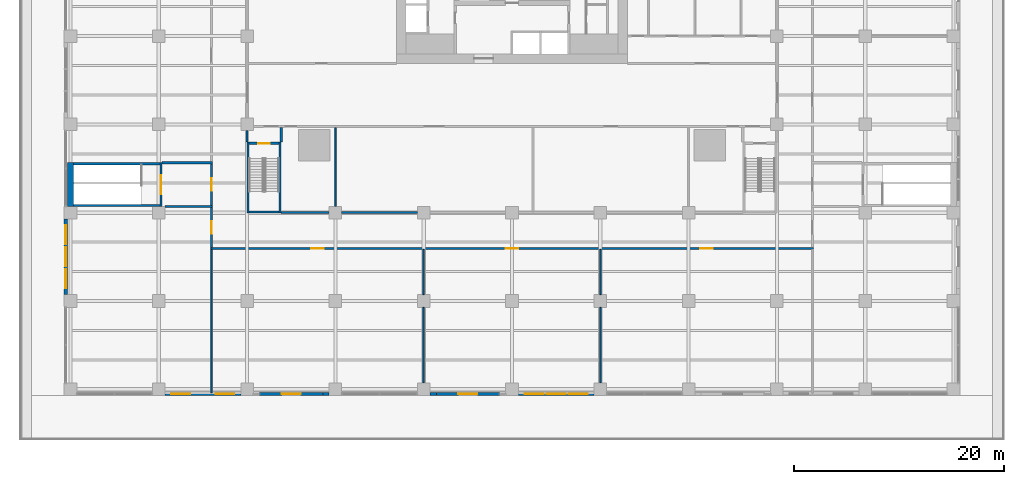
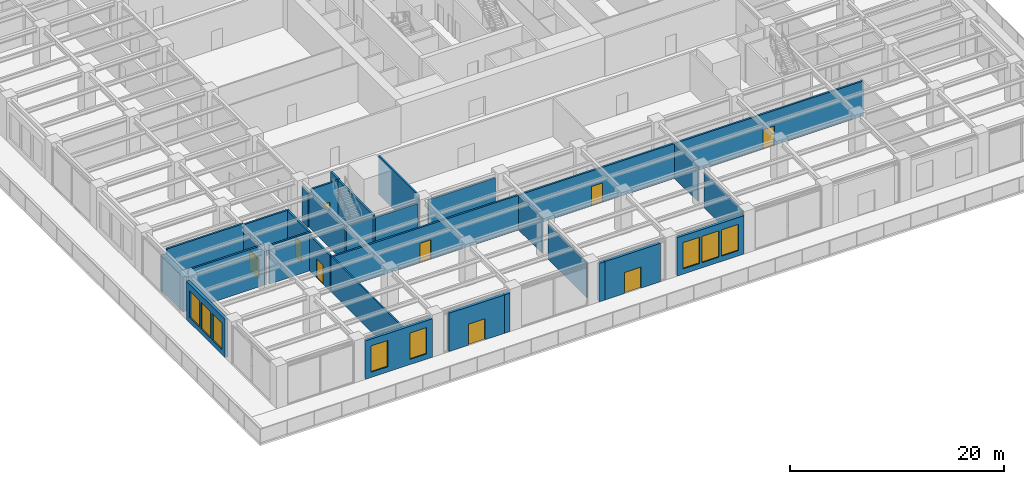
# One storey, part 35 of 53: 30 walls, 9 doors, 8 windows, 17 openings.
"""IFC4 building model written with IfcOpenShell, lengths in metres."""

from ifc_helpers import new_model, si_unit, direction, frame, frame_2d, origin, place, context, subcontext, project, spatial, rectangle, extrude, material, layer, layer_set, type_object, element, fill, save


model = new_model("IFC4")

# Units and contexts
model_context = context("Model", 3, precision=1e-05, world=origin(), true_north=direction((0.0, 1.0)))
body_context = subcontext(model_context, "Body", "Model", "MODEL_VIEW")
ifc_project = project(units=[si_unit("LENGTHUNIT", "METRE"), si_unit("AREAUNIT", "SQUARE_METRE"), si_unit("VOLUMEUNIT", "CUBIC_METRE"), si_unit("PLANEANGLEUNIT", "RADIAN"), si_unit("MASSUNIT", "GRAM", prefix="KILO")], contexts=[model_context])

# Site, building, storey
site_placement = place(None, origin())
site = spatial("IfcSite", under=ifc_project, at=site_placement, CompositionType="ELEMENT")
building_placement = place(site_placement, origin())
building = spatial("IfcBuilding", under=site, at=building_placement, Name="Khepri Terraces", CompositionType="ELEMENT")
storey_placement = place(building_placement, frame((0.0, 0.0, 7.199951171875)))
storey = spatial("IfcBuildingStorey", under=building, at=storey_placement, Name="L01", CompositionType="ELEMENT", Elevation=7.199951171875)

# Wall, openings, windows
ifc_material_1 = material(Name="Precast concrete C50/60 warm stone", Category="masonry")
ifc_layer_1 = layer(ifc_material_1, 0.300048828125, Name="Precast concrete C50/60 warm stone", Category="masonry")
ifc_layer_set_1 = layer_set([ifc_layer_1], Name="Precast concrete C50/60 warm stone")
wall_type_1 = type_object("IfcWallType", Name="WL-EXT-PRECAST-300", PredefinedType="STANDARD", material=ifc_layer_set_1)
wall_1_placement = place(storey_placement, frame((-33.0, -42.449951171875, 0.0), z_axis=(0.0, 0.0, 1.0), x_axis=(1.0, 0.0, 0.0)))
wall_1 = element("IfcWall", 1, at=wall_1_placement, inside=storey, type_object=wall_type_1, Name="External wall L01 S", PredefinedType="STANDARD", context=body_context, shape_type="SweptSolid", body=[
    extrude(rectangle(XDim=7.199951171875, YDim=0.300048828125, at=frame_2d((3.60009765625, 0.0))), origin(), (0.0, 0.0, 1.0), 4.380126953125),
])
opening_1_placement = place(wall_1_placement, frame((0.60009765625, 0.0, 0.60009765625)))
opening_1 = element("IfcOpeningElement", 2, at=opening_1_placement, cuts=wall_1, Name="Opening WP1", PredefinedType="OPENING", context=body_context, shape_type="SweptSolid", body=[
    extrude(rectangle(XDim=1.800048828125, YDim=3.0, at=frame_2d((0.89990234375, 1.5))), frame((0.0, 0.16015625, 0.0), z_axis=(0.0, -1.0, 0.0), x_axis=(1.0, 0.0, 0.0)), (0.0, 0.0, 1.0), 0.320068359375),
])
opening_2_placement = place(wall_1_placement, frame((4.800048828125, 0.0, 0.60009765625)))
opening_2 = element("IfcOpeningElement", 3, at=opening_2_placement, cuts=wall_1, Name="Opening WP1", PredefinedType="OPENING", context=body_context, shape_type="SweptSolid", body=[
    extrude(rectangle(XDim=1.800048828125, YDim=3.0, at=frame_2d((0.89990234375, 1.5))), frame((0.0, 0.16015625, 0.0), z_axis=(0.0, -1.0, 0.0), x_axis=(1.0, 0.0, 0.0)), (0.0, 0.0, 1.0), 0.320068359375),
])
ifc_material_2 = material(Name="Clear glass", Category="glass")
window_type = type_object("IfcWindowType", Name="WIN-POD-1800x3000", PartitioningType="SINGLE_PANEL", PredefinedType="WINDOW", material=ifc_material_2)
window_1_placement = place(opening_1_placement, origin())
window_1 = element("IfcWindow", 4, at=window_1_placement, inside=storey, type_object=window_type, Name="Window L01 S", OverallHeight=3.0, OverallWidth=1.800048828125, PartitioningType="SINGLE_PANEL", PredefinedType="WINDOW", context=body_context, shape_type="SweptSolid", body=[
    extrude(rectangle(XDim=1.800048828125, YDim=3.0, at=frame_2d((0.89990234375, 1.5))), frame((0.0, 0.030029296875, 0.0), z_axis=(0.0, -1.0, 0.0), x_axis=(1.0, 0.0, 0.0)), (0.0, 0.0, 1.0), 0.06005859375),
])
fill(opening_1, window_1)
window_2_placement = place(opening_2_placement, origin())
window_2 = element("IfcWindow", 5, at=window_2_placement, inside=storey, type_object=window_type, Name="Window L01 S", OverallHeight=3.0, OverallWidth=1.800048828125, PartitioningType="SINGLE_PANEL", PredefinedType="WINDOW", context=body_context, shape_type="SweptSolid", body=[
    extrude(rectangle(XDim=1.800048828125, YDim=3.0, at=frame_2d((0.89990234375, 1.5))), frame((0.0, 0.030029296875, 0.0), z_axis=(0.0, -1.0, 0.0), x_axis=(1.0, 0.0, 0.0)), (0.0, 0.0, 1.0), 0.06005859375),
])
fill(opening_2, window_2)

# Wall, opening, door
wall_2_placement = place(storey_placement, frame((-24.0, -42.449951171875, 0.0), z_axis=(0.0, 0.0, 1.0), x_axis=(1.0, 0.0, 0.0)))
wall_2 = element("IfcWall", 6, at=wall_2_placement, inside=storey, type_object=wall_type_1, Name="External wall L01 S", PredefinedType="STANDARD", context=body_context, shape_type="SweptSolid", body=[
    extrude(rectangle(XDim=6.0, YDim=0.300048828125, at=frame_2d((3.0, 0.0))), origin(), (0.0, 0.0, 1.0), 4.380126953125),
])
opening_3_placement = place(wall_2_placement, frame((2.10009765625, 0.0, 0.0)))
opening_3 = element("IfcOpeningElement", 7, at=opening_3_placement, cuts=wall_2, Name="Opening ED-L01-01", PredefinedType="OPENING", context=body_context, shape_type="SweptSolid", body=[
    extrude(rectangle(XDim=1.800048828125, YDim=2.39990234375, at=frame_2d((0.89990234375, 1.199951171875))), frame((0.0, 0.16015625, 0.0), z_axis=(0.0, -1.0, 0.0), x_axis=(1.0, 0.0, 0.0)), (0.0, 0.0, 1.0), 0.320068359375),
])
ifc_material_3 = material(Name="Anodised aluminium bronze glazed door", Category="aluminium")
door_type_1 = type_object("IfcDoorType", Name="DR-BAL-SLIDE-1800x2400", OperationType="NOTDEFINED", PredefinedType="DOOR", material=ifc_material_3)
door_1_placement = place(opening_3_placement, origin())
door_1 = element("IfcDoor", 8, at=door_1_placement, inside=storey, type_object=door_type_1, Name="Balcony door L01 S", OperationType="SLIDING_TO_LEFT", OverallHeight=2.39990234375, OverallWidth=1.800048828125, PredefinedType="DOOR", context=body_context, shape_type="SweptSolid", body=[
    extrude(rectangle(XDim=1.800048828125, YDim=2.39990234375, at=frame_2d((0.89990234375, 1.199951171875))), frame((0.0, 0.02490234375, 0.0), z_axis=(0.0, -1.0, 0.0), x_axis=(1.0, 0.0, 0.0)), (0.0, 0.0, 1.0), 0.050048828125),
])
fill(opening_3, door_1)

# Walls
for number, where, z_axis, x_axis, name in (
    (9, (-18.0, -42.449951171875, 0.0), (0.0, 0.0, 1.0), (1.0, 0.0, 0.0), "External wall L01 S"),
    (10, (-7.800048828125, -42.449951171875, 0.0), (0.0, 0.0, 1.0), (1.0, 0.0, 0.0), "External wall L01 S"),
):
    element("IfcWall", number, at=place(storey_placement, frame(where, z_axis=z_axis, x_axis=x_axis)), inside=storey, type_object=wall_type_1, Name=name, PredefinedType="STANDARD", context=body_context, shape_type="SweptSolid", body=[
        extrude(rectangle(XDim=0.60009765625, YDim=0.300048828125, at=frame_2d((0.300048828125, 0.0))), origin(), (0.0, 0.0, 1.0), 4.380126953125),
    ])

# Wall, opening, door
wall_3_placement = place(storey_placement, frame((-7.199951171875, -42.449951171875, 0.0), z_axis=(0.0, 0.0, 1.0), x_axis=(1.0, 0.0, 0.0)))
wall_3 = element("IfcWall", 11, at=wall_3_placement, inside=storey, type_object=wall_type_1, Name="External wall L01 S", PredefinedType="STANDARD", context=body_context, shape_type="SweptSolid", body=[
    extrude(rectangle(XDim=6.0, YDim=0.300048828125, at=frame_2d((3.0, 0.0))), origin(), (0.0, 0.0, 1.0), 4.380126953125),
])
opening_4_placement = place(wall_3_placement, frame((2.10009765625, 0.0, 0.0)))
opening_4 = element("IfcOpeningElement", 12, at=opening_4_placement, cuts=wall_3, Name="Opening ED-L01-02", PredefinedType="OPENING", context=body_context, shape_type="SweptSolid", body=[
    extrude(rectangle(XDim=1.800048828125, YDim=2.39990234375, at=frame_2d((0.89990234375, 1.199951171875))), frame((0.0, 0.16015625, 0.0), z_axis=(0.0, -1.0, 0.0), x_axis=(1.0, 0.0, 0.0)), (0.0, 0.0, 1.0), 0.320068359375),
])
door_2_placement = place(opening_4_placement, origin())
door_2 = element("IfcDoor", 13, at=door_2_placement, inside=storey, type_object=door_type_1, Name="Balcony door L01 S", OperationType="SLIDING_TO_LEFT", OverallHeight=2.39990234375, OverallWidth=1.800048828125, PredefinedType="DOOR", context=body_context, shape_type="SweptSolid", body=[
    extrude(rectangle(XDim=1.800048828125, YDim=2.39990234375, at=frame_2d((0.89990234375, 1.199951171875))), frame((0.0, 0.02490234375, 0.0), z_axis=(0.0, -1.0, 0.0), x_axis=(1.0, 0.0, 0.0)), (0.0, 0.0, 1.0), 0.050048828125),
])
fill(opening_4, door_2)

# Wall, openings, windows
wall_4_placement = place(storey_placement, frame((0.60009765625, -42.449951171875, 0.0), z_axis=(0.0, 0.0, 1.0), x_axis=(1.0, 0.0, 0.0)))
wall_4 = element("IfcWall", 14, at=wall_4_placement, inside=storey, type_object=wall_type_1, Name="External wall L01 S", PredefinedType="STANDARD", context=body_context, shape_type="SweptSolid", body=[
    extrude(rectangle(XDim=7.199951171875, YDim=0.300048828125, at=frame_2d((3.60009765625, 0.0))), origin(), (0.0, 0.0, 1.0), 4.380126953125),
])
opening_5_placement = place(wall_4_placement, frame((0.60009765625, 0.0, 0.60009765625)))
opening_5 = element("IfcOpeningElement", 15, at=opening_5_placement, cuts=wall_4, Name="Opening WP1", PredefinedType="OPENING", context=body_context, shape_type="SweptSolid", body=[
    extrude(rectangle(XDim=1.800048828125, YDim=3.0, at=frame_2d((0.89990234375, 1.5))), frame((0.0, 0.16015625, 0.0), z_axis=(0.0, -1.0, 0.0), x_axis=(1.0, 0.0, 0.0)), (0.0, 0.0, 1.0), 0.320068359375),
])
opening_6_placement = place(wall_4_placement, frame((2.699951171875, 0.0, 0.60009765625)))
opening_6 = element("IfcOpeningElement", 16, at=opening_6_placement, cuts=wall_4, Name="Opening WP1", PredefinedType="OPENING", context=body_context, shape_type="SweptSolid", body=[
    extrude(rectangle(XDim=1.800048828125, YDim=3.0, at=frame_2d((0.89990234375, 1.5))), frame((0.0, 0.16015625, 0.0), z_axis=(0.0, -1.0, 0.0), x_axis=(1.0, 0.0, 0.0)), (0.0, 0.0, 1.0), 0.320068359375),
])
opening_7_placement = place(wall_4_placement, frame((4.800048828125, 0.0, 0.60009765625)))
opening_7 = element("IfcOpeningElement", 17, at=opening_7_placement, cuts=wall_4, Name="Opening WP1", PredefinedType="OPENING", context=body_context, shape_type="SweptSolid", body=[
    extrude(rectangle(XDim=1.800048828125, YDim=3.0, at=frame_2d((0.89990234375, 1.5))), frame((0.0, 0.16015625, 0.0), z_axis=(0.0, -1.0, 0.0), x_axis=(1.0, 0.0, 0.0)), (0.0, 0.0, 1.0), 0.320068359375),
])
window_3_placement = place(opening_5_placement, origin())
window_3 = element("IfcWindow", 18, at=window_3_placement, inside=storey, type_object=window_type, Name="Window L01 S", OverallHeight=3.0, OverallWidth=1.800048828125, PartitioningType="SINGLE_PANEL", PredefinedType="WINDOW", context=body_context, shape_type="SweptSolid", body=[
    extrude(rectangle(XDim=1.800048828125, YDim=3.0, at=frame_2d((0.89990234375, 1.5))), frame((0.0, 0.030029296875, 0.0), z_axis=(0.0, -1.0, 0.0), x_axis=(1.0, 0.0, 0.0)), (0.0, 0.0, 1.0), 0.06005859375),
])
fill(opening_5, window_3)
window_4_placement = place(opening_6_placement, origin())
window_4 = element("IfcWindow", 19, at=window_4_placement, inside=storey, type_object=window_type, Name="Window L01 S", OverallHeight=3.0, OverallWidth=1.800048828125, PartitioningType="SINGLE_PANEL", PredefinedType="WINDOW", context=body_context, shape_type="SweptSolid", body=[
    extrude(rectangle(XDim=1.800048828125, YDim=3.0, at=frame_2d((0.89990234375, 1.5))), frame((0.0, 0.030029296875, 0.0), z_axis=(0.0, -1.0, 0.0), x_axis=(1.0, 0.0, 0.0)), (0.0, 0.0, 1.0), 0.06005859375),
])
fill(opening_6, window_4)
window_5_placement = place(opening_7_placement, origin())
window_5 = element("IfcWindow", 20, at=window_5_placement, inside=storey, type_object=window_type, Name="Window L01 S", OverallHeight=3.0, OverallWidth=1.800048828125, PartitioningType="SINGLE_PANEL", PredefinedType="WINDOW", context=body_context, shape_type="SweptSolid", body=[
    extrude(rectangle(XDim=1.800048828125, YDim=3.0, at=frame_2d((0.89990234375, 1.5))), frame((0.0, 0.030029296875, 0.0), z_axis=(0.0, -1.0, 0.0), x_axis=(1.0, 0.0, 0.0)), (0.0, 0.0, 1.0), 0.06005859375),
])
fill(opening_7, window_5)

wall_5_placement = place(storey_placement, frame((-42.449951171875, -25.800048828125, 0.0), z_axis=(0.0, 0.0, 1.0), x_axis=(0.0, -1.0, 0.0)))
wall_5 = element("IfcWall", 21, at=wall_5_placement, inside=storey, type_object=wall_type_1, Name="External wall L01 W", PredefinedType="STANDARD", context=body_context, shape_type="SweptSolid", body=[
    extrude(rectangle(XDim=7.199951171875, YDim=0.300048828125, at=frame_2d((3.60009765625, 0.0))), origin(), (0.0, 0.0, 1.0), 4.380126953125),
])
opening_8_placement = place(wall_5_placement, frame((0.60009765625, 0.0, 0.60009765625)))
opening_8 = element("IfcOpeningElement", 22, at=opening_8_placement, cuts=wall_5, Name="Opening WP1", PredefinedType="OPENING", context=body_context, shape_type="SweptSolid", body=[
    extrude(rectangle(XDim=1.800048828125, YDim=3.0, at=frame_2d((0.89990234375, 1.5))), frame((0.0, 0.16015625, 0.0), z_axis=(0.0, -1.0, 0.0), x_axis=(1.0, 0.0, 0.0)), (0.0, 0.0, 1.0), 0.320068359375),
])
opening_9_placement = place(wall_5_placement, frame((2.699951171875, 0.0, 0.60009765625)))
opening_9 = element("IfcOpeningElement", 23, at=opening_9_placement, cuts=wall_5, Name="Opening WP1", PredefinedType="OPENING", context=body_context, shape_type="SweptSolid", body=[
    extrude(rectangle(XDim=1.800048828125, YDim=3.0, at=frame_2d((0.89990234375, 1.5))), frame((0.0, 0.16015625, 0.0), z_axis=(0.0, -1.0, 0.0), x_axis=(1.0, 0.0, 0.0)), (0.0, 0.0, 1.0), 0.320068359375),
])
opening_10_placement = place(wall_5_placement, frame((4.800048828125, 0.0, 0.60009765625)))
opening_10 = element("IfcOpeningElement", 24, at=opening_10_placement, cuts=wall_5, Name="Opening WP1", PredefinedType="OPENING", context=body_context, shape_type="SweptSolid", body=[
    extrude(rectangle(XDim=1.800048828125, YDim=3.0, at=frame_2d((0.89990234375, 1.5))), frame((0.0, 0.16015625, 0.0), z_axis=(0.0, -1.0, 0.0), x_axis=(1.0, 0.0, 0.0)), (0.0, 0.0, 1.0), 0.320068359375),
])
window_6_placement = place(opening_8_placement, origin())
window_6 = element("IfcWindow", 25, at=window_6_placement, inside=storey, type_object=window_type, Name="Window L01 W", OverallHeight=3.0, OverallWidth=1.800048828125, PartitioningType="SINGLE_PANEL", PredefinedType="WINDOW", context=body_context, shape_type="SweptSolid", body=[
    extrude(rectangle(XDim=1.800048828125, YDim=3.0, at=frame_2d((0.89990234375, 1.5))), frame((0.0, 0.030029296875, 0.0), z_axis=(0.0, -1.0, 0.0), x_axis=(1.0, 0.0, 0.0)), (0.0, 0.0, 1.0), 0.06005859375),
])
fill(opening_8, window_6)
window_7_placement = place(opening_9_placement, origin())
window_7 = element("IfcWindow", 26, at=window_7_placement, inside=storey, type_object=window_type, Name="Window L01 W", OverallHeight=3.0, OverallWidth=1.800048828125, PartitioningType="SINGLE_PANEL", PredefinedType="WINDOW", context=body_context, shape_type="SweptSolid", body=[
    extrude(rectangle(XDim=1.800048828125, YDim=3.0, at=frame_2d((0.89990234375, 1.5))), frame((0.0, 0.030029296875, 0.0), z_axis=(0.0, -1.0, 0.0), x_axis=(1.0, 0.0, 0.0)), (0.0, 0.0, 1.0), 0.06005859375),
])
fill(opening_9, window_7)
window_8_placement = place(opening_10_placement, origin())
window_8 = element("IfcWindow", 27, at=window_8_placement, inside=storey, type_object=window_type, Name="Window L01 W", OverallHeight=3.0, OverallWidth=1.800048828125, PartitioningType="SINGLE_PANEL", PredefinedType="WINDOW", context=body_context, shape_type="SweptSolid", body=[
    extrude(rectangle(XDim=1.800048828125, YDim=3.0, at=frame_2d((0.89990234375, 1.5))), frame((0.0, 0.030029296875, 0.0), z_axis=(0.0, -1.0, 0.0), x_axis=(1.0, 0.0, 0.0)), (0.0, 0.0, 1.0), 0.06005859375),
])
fill(opening_10, window_8)

# Walls
ifc_material_4 = material(Name="Gypsum board partition")
ifc_layer_2 = layer(ifc_material_4, 0.14990234375, Name="Gypsum board partition")
ifc_layer_set_2 = layer_set([ifc_layer_2], Name="Gypsum board partition")
wall_type_2 = type_object("IfcWallType", Name="WL-POD-150", PredefinedType="PARTITIONING", material=ifc_layer_set_2)
wall_6_placement = place(storey_placement, frame((-28.60009765625, -42.35009765625, 0.0), z_axis=(0.0, 0.0, 1.0), x_axis=(0.0, 1.0, 0.0)))
element("IfcWall", 28, at=wall_6_placement, inside=storey, type_object=wall_type_2, Name="Partition L01-PW039", PredefinedType="PARTITIONING", context=body_context, shape_type="SweptSolid", body=[
    extrude(rectangle(XDim=13.650146484375, YDim=0.14990234375, at=frame_2d((6.8251953125, 0.0))), origin(), (0.0, 0.0, 1.0), 4.080078125),
])
wall_7_placement = place(storey_placement, frame((-16.800048828125, -24.60009765625, 0.0), z_axis=(0.0, 0.0, 1.0), x_axis=(0.0, 1.0, 0.0)))
element("IfcWall", 29, at=wall_7_placement, inside=storey, type_object=wall_type_2, Name="Partition L01-PW054", PredefinedType="PARTITIONING", context=body_context, shape_type="SweptSolid", body=[
    extrude(rectangle(XDim=7.5, YDim=0.14990234375, at=frame_2d((3.75, 0.0))), origin(), (0.0, 0.0, 1.0), 4.380126953125),
])
wall_8_placement = place(storey_placement, frame((-8.39990234375, -41.39990234375, 0.0), z_axis=(0.0, 0.0, 1.0), x_axis=(0.0, 1.0, 0.0)))
element("IfcWall", 30, at=wall_8_placement, inside=storey, type_object=wall_type_2, Name="Partition L01-PW056", PredefinedType="PARTITIONING", context=body_context, shape_type="SweptSolid", body=[
    extrude(rectangle(XDim=7.199951171875, YDim=0.14990234375, at=frame_2d((3.60009765625, 0.0))), origin(), (0.0, 0.0, 1.0), 3.97998046875),
])
wall_9_placement = place(storey_placement, frame((-8.39990234375, -33.0, 0.0), z_axis=(0.0, 0.0, 1.0), x_axis=(0.0, 1.0, 0.0)))
element("IfcWall", 31, at=wall_9_placement, inside=storey, type_object=wall_type_2, Name="Partition L01-PW057", PredefinedType="PARTITIONING", context=body_context, shape_type="SweptSolid", body=[
    extrude(rectangle(XDim=4.300048828125, YDim=0.14990234375, at=frame_2d((2.14990234375, 0.0))), origin(), (0.0, 0.0, 1.0), 3.97998046875),
])
wall_10_placement = place(storey_placement, frame((8.39990234375, -41.39990234375, 0.0), z_axis=(0.0, 0.0, 1.0), x_axis=(0.0, 1.0, 0.0)))
element("IfcWall", 32, at=wall_10_placement, inside=storey, type_object=wall_type_2, Name="Partition L01-PW062", PredefinedType="PARTITIONING", context=body_context, shape_type="SweptSolid", body=[
    extrude(rectangle(XDim=7.199951171875, YDim=0.14990234375, at=frame_2d((3.60009765625, 0.0))), origin(), (0.0, 0.0, 1.0), 3.97998046875),
])
wall_11_placement = place(storey_placement, frame((8.39990234375, -33.0, 0.0), z_axis=(0.0, 0.0, 1.0), x_axis=(0.0, 1.0, 0.0)))
element("IfcWall", 33, at=wall_11_placement, inside=storey, type_object=wall_type_2, Name="Partition L01-PW063", PredefinedType="PARTITIONING", context=body_context, shape_type="SweptSolid", body=[
    extrude(rectangle(XDim=4.300048828125, YDim=0.14990234375, at=frame_2d((2.14990234375, 0.0))), origin(), (0.0, 0.0, 1.0), 3.97998046875),
])
ifc_material_5 = material(Name="Fire-rated block wall")
ifc_layer_3 = layer(ifc_material_5, 0.199951171875, Name="Fire-rated block wall")
ifc_layer_set_3 = layer_set([ifc_layer_3], Name="Fire-rated block wall")
wall_type_3 = type_object("IfcWallType", Name="WL-POD-200-EI120", PredefinedType="PARTITIONING", material=ifc_layer_set_3)
wall_12_placement = place(storey_placement, frame((-33.0, -24.60009765625, 0.0), z_axis=(0.0, 0.0, 1.0), x_axis=(1.0, 0.0, 0.0)))
element("IfcWall", 34, at=wall_12_placement, inside=storey, type_object=wall_type_3, Name="Partition L01-PW008", PredefinedType="PARTITIONING", context=body_context, shape_type="SweptSolid", body=[
    extrude(rectangle(XDim=4.5, YDim=0.199951171875, at=frame_2d((2.25, 0.0))), origin(), (0.0, 0.0, 1.0), 4.380126953125),
])
wall_13_placement = place(storey_placement, frame((-33.300048828125, -20.449951171875, 0.0), z_axis=(0.0, 0.0, 1.0), x_axis=(1.0, 0.0, 0.0)))
element("IfcWall", 35, at=wall_13_placement, inside=storey, type_object=wall_type_3, Name="Partition L01-PW010", PredefinedType="PARTITIONING", context=body_context, shape_type="SweptSolid", body=[
    extrude(rectangle(XDim=4.800048828125, YDim=0.199951171875, at=frame_2d((2.39990234375, 0.0))), origin(), (0.0, 0.0, 1.0), 4.380126953125),
])

# Wall, opening, door
wall_14_placement = place(storey_placement, frame((-28.60009765625, -24.5, 0.0), z_axis=(0.0, 0.0, 1.0), x_axis=(0.0, 1.0, 0.0)))
wall_14 = element("IfcWall", 36, at=wall_14_placement, inside=storey, type_object=wall_type_3, Name="Partition L01-PW041", PredefinedType="PARTITIONING", context=body_context, shape_type="SweptSolid", body=[
    extrude(rectangle(XDim=3.949951171875, YDim=0.199951171875, at=frame_2d((1.97509765625, 0.0))), origin(), (0.0, 0.0, 1.0), 4.380126953125),
])
opening_11_placement = place(wall_14_placement, frame((1.375, 0.0, 0.0)))
opening_11 = element("IfcOpeningElement", 37, at=opening_11_placement, cuts=wall_14, Name="Opening L01-P06", PredefinedType="OPENING", context=body_context, shape_type="SweptSolid", body=[
    extrude(rectangle(XDim=1.199951171875, YDim=2.199951171875, at=frame_2d((0.60009765625, 1.10009765625))), frame((0.0, 0.10986328125, 0.0), z_axis=(0.0, -1.0, 0.0), x_axis=(1.0, 0.0, 0.0)), (0.0, 0.0, 1.0), 0.219970703125),
])
ifc_material_6 = material(Name="Painted steel", Category="steel")
door_type_2 = type_object("IfcDoorType", Name="DR-POD-FIRE-1200", OperationType="NOTDEFINED", PredefinedType="DOOR", material=ifc_material_6)
door_3_placement = place(opening_11_placement, origin())
door_3 = element("IfcDoor", 38, at=door_3_placement, inside=storey, type_object=door_type_2, Name="Fire door L01-P06", OperationType="SINGLE_SWING_RIGHT", OverallHeight=2.199951171875, OverallWidth=1.199951171875, PredefinedType="DOOR", context=body_context, shape_type="SweptSolid", body=[
    extrude(rectangle(XDim=1.199951171875, YDim=2.199951171875, at=frame_2d((0.60009765625, 1.10009765625))), frame((0.0, 0.02490234375, 0.0), z_axis=(0.0, -1.0, 0.0), x_axis=(1.0, 0.0, 0.0)), (0.0, 0.0, 1.0), 0.050048828125),
])
fill(opening_11, door_3)

# Wall, openings, doors
ifc_layer_4 = layer(ifc_material_5, 0.199951171875, Name="Fire-rated block wall")
ifc_layer_set_4 = layer_set([ifc_layer_4], Name="Fire-rated block wall")
wall_type_4 = type_object("IfcWallType", Name="WL-POD-200-EI60", PredefinedType="PARTITIONING", material=ifc_layer_set_4)
wall_15_placement = place(storey_placement, frame((-28.699951171875, -28.60009765625, 0.0), z_axis=(0.0, 0.0, 1.0), x_axis=(1.0, 0.0, 0.0)))
wall_15 = element("IfcWall", 39, at=wall_15_placement, inside=storey, type_object=wall_type_4, Name="Partition L01-PW001", PredefinedType="PARTITIONING", context=body_context, shape_type="SweptSolid", body=[
    extrude(rectangle(XDim=57.39990234375, YDim=0.199951171875, at=frame_2d((28.699951171875, 0.0))), origin(), (0.0, 0.0, 1.0), 3.97998046875),
])
opening_12_placement = place(wall_15_placement, frame((9.60009765625, 0.0, 0.0)))
opening_12 = element("IfcOpeningElement", 40, at=opening_12_placement, cuts=wall_15, Name="Opening L01-P01", PredefinedType="OPENING", context=body_context, shape_type="SweptSolid", body=[
    extrude(rectangle(XDim=1.199951171875, YDim=2.199951171875, at=frame_2d((0.60009765625, 1.10009765625))), frame((0.0, 0.10986328125, 0.0), z_axis=(0.0, -1.0, 0.0), x_axis=(1.0, 0.0, 0.0)), (0.0, 0.0, 1.0), 0.219970703125),
])
opening_13_placement = place(wall_15_placement, frame((28.10009765625, 0.0, 0.0)))
opening_13 = element("IfcOpeningElement", 41, at=opening_13_placement, cuts=wall_15, Name="Opening L01-P02", PredefinedType="OPENING", context=body_context, shape_type="SweptSolid", body=[
    extrude(rectangle(XDim=1.199951171875, YDim=2.199951171875, at=frame_2d((0.60009765625, 1.10009765625))), frame((0.0, 0.10986328125, 0.0), z_axis=(0.0, -1.0, 0.0), x_axis=(1.0, 0.0, 0.0)), (0.0, 0.0, 1.0), 0.219970703125),
])
opening_14_placement = place(wall_15_placement, frame((46.60009765625, 0.0, 0.0)))
opening_14 = element("IfcOpeningElement", 42, at=opening_14_placement, cuts=wall_15, Name="Opening L01-P03", PredefinedType="OPENING", context=body_context, shape_type="SweptSolid", body=[
    extrude(rectangle(XDim=1.199951171875, YDim=2.199951171875, at=frame_2d((0.60009765625, 1.10009765625))), frame((0.0, 0.10986328125, 0.0), z_axis=(0.0, -1.0, 0.0), x_axis=(1.0, 0.0, 0.0)), (0.0, 0.0, 1.0), 0.219970703125),
])
ifc_material_7 = material(Name="Timber veneer", Category="wood")
door_type_3 = type_object("IfcDoorType", Name="DR-POD-SINGLE-1200", OperationType="NOTDEFINED", PredefinedType="DOOR", material=ifc_material_7)
door_4_placement = place(opening_12_placement, origin())
door_4 = element("IfcDoor", 43, at=door_4_placement, inside=storey, type_object=door_type_3, Name="Door L01-P01", OperationType="SINGLE_SWING_RIGHT", OverallHeight=2.199951171875, OverallWidth=1.199951171875, PredefinedType="DOOR", context=body_context, shape_type="SweptSolid", body=[
    extrude(rectangle(XDim=1.199951171875, YDim=2.199951171875, at=frame_2d((0.60009765625, 1.10009765625))), frame((0.0, 0.02490234375, 0.0), z_axis=(0.0, -1.0, 0.0), x_axis=(1.0, 0.0, 0.0)), (0.0, 0.0, 1.0), 0.050048828125),
])
fill(opening_12, door_4)
door_5_placement = place(opening_13_placement, origin())
door_5 = element("IfcDoor", 44, at=door_5_placement, inside=storey, type_object=door_type_3, Name="Door L01-P02", OperationType="SINGLE_SWING_RIGHT", OverallHeight=2.199951171875, OverallWidth=1.199951171875, PredefinedType="DOOR", context=body_context, shape_type="SweptSolid", body=[
    extrude(rectangle(XDim=1.199951171875, YDim=2.199951171875, at=frame_2d((0.60009765625, 1.10009765625))), frame((0.0, 0.02490234375, 0.0), z_axis=(0.0, -1.0, 0.0), x_axis=(1.0, 0.0, 0.0)), (0.0, 0.0, 1.0), 0.050048828125),
])
fill(opening_13, door_5)
door_6_placement = place(opening_14_placement, origin())
door_6 = element("IfcDoor", 45, at=door_6_placement, inside=storey, type_object=door_type_3, Name="Door L01-P03", OperationType="SINGLE_SWING_LEFT", OverallHeight=2.199951171875, OverallWidth=1.199951171875, PredefinedType="DOOR", context=body_context, shape_type="SweptSolid", body=[
    extrude(rectangle(XDim=1.199951171875, YDim=2.199951171875, at=frame_2d((0.60009765625, 1.10009765625))), frame((0.0, 0.02490234375, 0.0), z_axis=(0.0, -1.0, 0.0), x_axis=(1.0, 0.0, 0.0)), (0.0, 0.0, 1.0), 0.050048828125),
])
fill(opening_14, door_6)

# Walls
wall_16_placement = place(storey_placement, frame((-21.949951171875, -25.199951171875, 0.0), z_axis=(0.0, 0.0, 1.0), x_axis=(1.0, 0.0, 0.0)))
element("IfcWall", 46, at=wall_16_placement, inside=storey, type_object=wall_type_4, Name="Partition L01-PW002", PredefinedType="PARTITIONING", context=body_context, shape_type="SweptSolid", body=[
    extrude(rectangle(XDim=4.550048828125, YDim=0.199951171875, at=frame_2d((2.27490234375, 0.0))), origin(), (0.0, 0.0, 1.0), 4.080078125),
])
wall_17_placement = place(storey_placement, frame((-16.199951171875, -25.199951171875, 0.0), z_axis=(0.0, 0.0, 1.0), x_axis=(1.0, 0.0, 0.0)))
element("IfcWall", 47, at=wall_17_placement, inside=storey, type_object=wall_type_4, Name="Partition L01-PW003", PredefinedType="PARTITIONING", context=body_context, shape_type="SweptSolid", body=[
    extrude(rectangle(XDim=7.199951171875, YDim=0.199951171875, at=frame_2d((3.60009765625, 0.0))), origin(), (0.0, 0.0, 1.0), 4.080078125),
])

# Wall, opening, door
wall_18_placement = place(storey_placement, frame((-28.60009765625, -28.5, 0.0), z_axis=(0.0, 0.0, 1.0), x_axis=(0.0, 1.0, 0.0)))
wall_18 = element("IfcWall", 48, at=wall_18_placement, inside=storey, type_object=wall_type_4, Name="Partition L01-PW040", PredefinedType="PARTITIONING", context=body_context, shape_type="SweptSolid", body=[
    extrude(rectangle(XDim=3.800048828125, YDim=0.199951171875, at=frame_2d((1.89990234375, 0.0))), origin(), (0.0, 0.0, 1.0), 4.080078125),
])
opening_15_placement = place(wall_18_placement, frame((1.300048828125, 0.0, 0.0)))
opening_15 = element("IfcOpeningElement", 49, at=opening_15_placement, cuts=wall_18, Name="Opening L01-P04", PredefinedType="OPENING", context=body_context, shape_type="SweptSolid", body=[
    extrude(rectangle(XDim=1.199951171875, YDim=2.199951171875, at=frame_2d((0.60009765625, 1.10009765625))), frame((0.0, 0.10986328125, 0.0), z_axis=(0.0, -1.0, 0.0), x_axis=(1.0, 0.0, 0.0)), (0.0, 0.0, 1.0), 0.219970703125),
])
door_7_placement = place(opening_15_placement, origin())
door_7 = element("IfcDoor", 50, at=door_7_placement, inside=storey, type_object=door_type_3, Name="Door L01-P04", OperationType="SINGLE_SWING_LEFT", OverallHeight=2.199951171875, OverallWidth=1.199951171875, PredefinedType="DOOR", context=body_context, shape_type="SweptSolid", body=[
    extrude(rectangle(XDim=1.199951171875, YDim=2.199951171875, at=frame_2d((0.60009765625, 1.10009765625))), frame((0.0, 0.02490234375, 0.0), z_axis=(0.0, -1.0, 0.0), x_axis=(1.0, 0.0, 0.0)), (0.0, 0.0, 1.0), 0.050048828125),
])
fill(opening_15, door_7)

# Walls
wall_19_placement = place(storey_placement, frame((-25.199951171875, -18.5, 0.0), z_axis=(0.0, 0.0, 1.0), x_axis=(0.0, 1.0, 0.0)))
element("IfcWall", 51, at=wall_19_placement, inside=storey, type_object=wall_type_4, Name="Partition L01-PW046", PredefinedType="PARTITIONING", context=body_context, shape_type="SweptSolid", body=[
    extrude(rectangle(XDim=1.10009765625, YDim=0.199951171875, at=frame_2d((0.550048828125, 0.0))), origin(), (0.0, 0.0, 1.0), 3.97998046875),
])
wall_20_placement = place(storey_placement, frame((-21.949951171875, -18.5, 0.0), z_axis=(0.0, 0.0, 1.0), x_axis=(0.0, 1.0, 0.0)))
element("IfcWall", 52, at=wall_20_placement, inside=storey, type_object=wall_type_4, Name="Partition L01-PW052", PredefinedType="PARTITIONING", context=body_context, shape_type="SweptSolid", body=[
    extrude(rectangle(XDim=1.39990234375, YDim=0.199951171875, at=frame_2d((0.699951171875, 0.0))), origin(), (0.0, 0.0, 1.0), 4.380126953125),
])
ifc_material_8 = material(Name="Concrete C40/50", Category="concrete")
ifc_layer_5 = layer(ifc_material_8, 0.199951171875, Name="Concrete C40/50", Category="concrete")
ifc_layer_set_5 = layer_set([ifc_layer_5], Name="Concrete C40/50")
wall_type_5 = type_object("IfcWallType", Name="WL-POD-STAIR-200", PredefinedType="SOLIDWALL", material=ifc_layer_set_5)
wall_21_placement = place(storey_placement, frame((-25.10009765625, -25.239990234375, 0.0), z_axis=(0.0, 0.0, 1.0), x_axis=(0.0, 1.0, 0.0)))
element("IfcWall", 53, at=wall_21_placement, inside=storey, type_object=wall_type_5, Name="Stair enclosure PS-4 L01-W", PredefinedType="SOLIDWALL", context=body_context, shape_type="SweptSolid", body=[
    extrude(rectangle(XDim=6.739990234375, YDim=0.199951171875, at=frame_2d((3.3701171875, 0.0))), origin(), (0.0, 0.0, 1.0), 3.97998046875),
])
wall_22_placement = place(storey_placement, frame((-22.050048828125, -25.239990234375, 0.0), z_axis=(0.0, 0.0, 1.0), x_axis=(0.0, 1.0, 0.0)))
element("IfcWall", 54, at=wall_22_placement, inside=storey, type_object=wall_type_5, Name="Stair enclosure PS-4 L01-E", PredefinedType="SOLIDWALL", context=body_context, shape_type="SweptSolid", body=[
    extrude(rectangle(XDim=6.739990234375, YDim=0.199951171875, at=frame_2d((3.3701171875, 0.0))), origin(), (0.0, 0.0, 1.0), 4.380126953125),
])
wall_23_placement = place(storey_placement, frame((-25.0, -25.139892578125, 0.0), z_axis=(0.0, 0.0, 1.0), x_axis=(1.0, 0.0, 0.0)))
element("IfcWall", 55, at=wall_23_placement, inside=storey, type_object=wall_type_5, Name="Stair enclosure PS-4 L01-S", PredefinedType="SOLIDWALL", context=body_context, shape_type="SweptSolid", body=[
    extrude(rectangle(XDim=2.85009765625, YDim=0.199951171875, at=frame_2d((1.425048828125, 0.0))), origin(), (0.0, 0.0, 1.0), 4.080078125),
])

# Wall, opening, door
wall_24_placement = place(storey_placement, frame((-25.0, -18.60009765625, 0.0), z_axis=(0.0, 0.0, 1.0), x_axis=(1.0, 0.0, 0.0)))
wall_24 = element("IfcWall", 56, at=wall_24_placement, inside=storey, type_object=wall_type_5, Name="Stair enclosure PS-4 L01-N", PredefinedType="SOLIDWALL", context=body_context, shape_type="SweptSolid", body=[
    extrude(rectangle(XDim=2.85009765625, YDim=0.199951171875, at=frame_2d((1.425048828125, 0.0))), origin(), (0.0, 0.0, 1.0), 4.380126953125),
])
opening_16_placement = place(wall_24_placement, frame((0.875, 0.0, 0.0)))
opening_16 = element("IfcOpeningElement", 57, at=opening_16_placement, cuts=wall_24, Name="Opening L01-PS-4D", PredefinedType="OPENING", context=body_context, shape_type="SweptSolid", body=[
    extrude(rectangle(XDim=1.10009765625, YDim=2.199951171875, at=frame_2d((0.550048828125, 1.10009765625))), frame((0.0, 0.10986328125, 0.0), z_axis=(0.0, -1.0, 0.0), x_axis=(1.0, 0.0, 0.0)), (0.0, 0.0, 1.0), 0.219970703125),
])
door_type_4 = type_object("IfcDoorType", Name="DR-POD-STAIR-1100", OperationType="NOTDEFINED", PredefinedType="DOOR", material=ifc_material_6)
door_8_placement = place(opening_16_placement, origin())
door_8 = element("IfcDoor", 58, at=door_8_placement, inside=storey, type_object=door_type_4, Name="Stair door L01-PS-4D", OperationType="SINGLE_SWING_RIGHT", OverallHeight=2.199951171875, OverallWidth=1.10009765625, PredefinedType="DOOR", context=body_context, shape_type="SweptSolid", body=[
    extrude(rectangle(XDim=1.10009765625, YDim=2.199951171875, at=frame_2d((0.550048828125, 1.10009765625))), frame((0.0, 0.02490234375, 0.0), z_axis=(0.0, -1.0, 0.0), x_axis=(1.0, 0.0, 0.0)), (0.0, 0.0, 1.0), 0.050048828125),
])
fill(opening_16, door_8)

wall_25_placement = place(storey_placement, frame((-33.39990234375, -24.60009765625, 0.0), z_axis=(0.0, 0.0, 1.0), x_axis=(0.0, 1.0, 0.0)))
wall_25 = element("IfcWall", 59, at=wall_25_placement, inside=storey, type_object=wall_type_5, Name="Stair enclosure PS-7 L01-E", PredefinedType="SOLIDWALL", context=body_context, shape_type="SweptSolid", body=[
    extrude(rectangle(XDim=4.150146484375, YDim=0.199951171875, at=frame_2d((2.0751953125, 0.0))), origin(), (0.0, 0.0, 1.0), 3.97998046875),
])
opening_17_placement = place(wall_25_placement, frame((1.175048828125, 0.0, 0.0)))
opening_17 = element("IfcOpeningElement", 60, at=opening_17_placement, cuts=wall_25, Name="Opening L01-PS-7D", PredefinedType="OPENING", context=body_context, shape_type="SweptSolid", body=[
    extrude(rectangle(XDim=1.800048828125, YDim=2.199951171875, at=frame_2d((0.89990234375, 1.10009765625))), frame((0.0, 0.10986328125, 0.0), z_axis=(0.0, -1.0, 0.0), x_axis=(1.0, 0.0, 0.0)), (0.0, 0.0, 1.0), 0.219970703125),
])
door_type_5 = type_object("IfcDoorType", Name="DR-POD-STAIR-PAIR-1800", OperationType="DOUBLE_DOOR_SINGLE_SWING", PredefinedType="DOOR", material=ifc_material_6)
door_9_placement = place(opening_17_placement, origin())
door_9 = element("IfcDoor", 61, at=door_9_placement, inside=storey, type_object=door_type_5, Name="Stair door L01-PS-7D", OperationType="DOUBLE_DOOR_SINGLE_SWING", OverallHeight=2.199951171875, OverallWidth=1.800048828125, PredefinedType="DOOR", context=body_context, shape_type="SweptSolid", body=[
    extrude(rectangle(XDim=1.800048828125, YDim=2.199951171875, at=frame_2d((0.89990234375, 1.10009765625))), frame((0.0, 0.02490234375, 0.0), z_axis=(0.0, -1.0, 0.0), x_axis=(1.0, 0.0, 0.0)), (0.0, 0.0, 1.0), 0.050048828125),
])
fill(opening_17, door_9)

# Walls
for number, where, z_axis, x_axis, name in (
    (62, (-41.699951171875, -24.5, 0.0), (0.0, 0.0, 1.0), (1.0, 0.0, 0.0), "Stair enclosure PS-7 L01-S"),
    (63, (-41.699951171875, -20.550048828125, 0.0), (0.0, 0.0, 1.0), (1.0, 0.0, 0.0), "Stair enclosure PS-7 L01-N"),
):
    element("IfcWall", number, at=place(storey_placement, frame(where, z_axis=z_axis, x_axis=x_axis)), inside=storey, type_object=wall_type_5, Name=name, PredefinedType="SOLIDWALL", context=body_context, shape_type="SweptSolid", body=[
        extrude(rectangle(XDim=8.199951171875, YDim=0.199951171875, at=frame_2d((4.10009765625, 0.0))), origin(), (0.0, 0.0, 1.0), 4.60009765625),
    ])
ifc_layer_6 = layer(ifc_material_8, 0.60009765625, Name="Concrete C40/50", Category="concrete")
ifc_layer_set_6 = layer_set([ifc_layer_6], Name="Concrete C40/50")
wall_type_6 = type_object("IfcWallType", Name="WL-POD-STAIR-600", PredefinedType="SOLIDWALL", material=ifc_layer_set_6)
wall_26_placement = place(storey_placement, frame((-42.0, -24.60009765625, 0.0), z_axis=(0.0, 0.0, 1.0), x_axis=(0.0, 1.0, 0.0)))
element("IfcWall", 64, at=wall_26_placement, inside=storey, type_object=wall_type_6, Name="Stair enclosure PS-7 L01-W", PredefinedType="SOLIDWALL", context=body_context, shape_type="SweptSolid", body=[
    extrude(rectangle(XDim=4.150146484375, YDim=0.60009765625, at=frame_2d((2.0751953125, 0.0))), origin(), (0.0, 0.0, 1.0), 3.97998046875),
])

save(model, "model.ifc")
